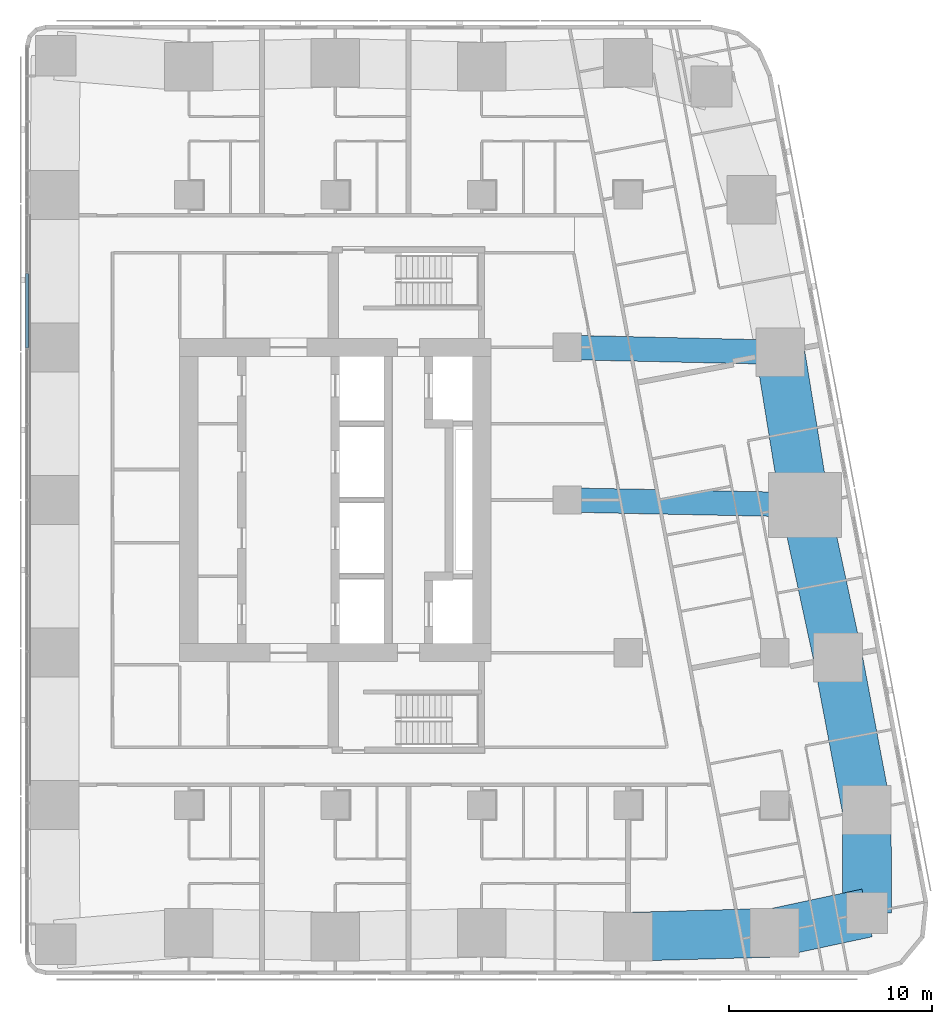
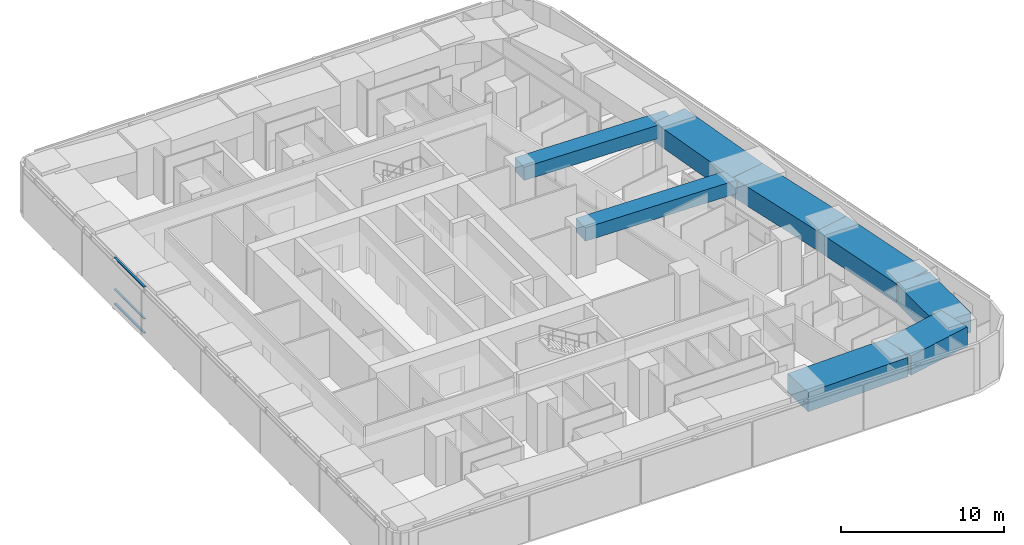
# One storey, part 4 of 17: 8 beams, 3 members, 1 element without a shape of its own.
"""IFC4 building model written with IfcOpenShell, lengths in metres."""

from ifc_helpers import new_model, si_unit, direction, frame, origin, origin_2d, place, context, subcontext, project, spatial, rectangle, extrude, material, material_profile, profile_set, type_object, element, aggregate, save


model = new_model("IFC4")

# Units and contexts
model_context = context("Model", 3, precision=1e-05, world=origin(), true_north=direction((0.0, 1.0)))
body_context = subcontext(model_context, "Body", "Model", "MODEL_VIEW")
ifc_project = project(units=[si_unit("LENGTHUNIT", "METRE"), si_unit("AREAUNIT", "SQUARE_METRE"), si_unit("VOLUMEUNIT", "CUBIC_METRE"), si_unit("PLANEANGLEUNIT", "RADIAN"), si_unit("MASSUNIT", "GRAM", prefix="KILO")], contexts=[model_context])

# Site, building, storey
site_placement = place(None, origin())
site = spatial("IfcSite", under=ifc_project, at=site_placement, CompositionType="ELEMENT")
building_placement = place(site_placement, origin())
building = spatial("IfcBuilding", under=site, at=building_placement, Name="Sheger Commons Tower", CompositionType="ELEMENT")
storey_placement = place(building_placement, frame((0.0, 0.0, 204.949951171875)))
storey = spatial("IfcBuildingStorey", under=building, at=storey_placement, Name="L52", CompositionType="ELEMENT", Elevation=204.949951171875)

# Beams
ifc_material_1 = material(Name="Concrete C50/60", Category="concrete")
ifc_material_profile_1 = material_profile(ifc_material_1, rectangle(XDim=1.199951171875, YDim=1.0, at=origin_2d()), Name="RC 1200x1000")
ifc_profile_set_1 = profile_set([ifc_material_profile_1], Name="Concrete C50/60")
beam_type_1 = type_object("IfcBeamType", Name="BEAM RC 1200x1000", PredefinedType="BEAM", material=ifc_profile_set_1)
beam_1_placement = place(storey_placement, frame((33.0, 22.5, 3.0), z_axis=(0.999794692776, -0.02026258368, 0.0), x_axis=(0.02026258368, 0.999794692776, 0.0)))
element("IfcBeam", 1, at=beam_1_placement, inside=storey, type_object=beam_type_1, Name="Beam 6-3000/D-7/D under L53", PredefinedType="BEAM", context=body_context, shape_type="SweptSolid", body=[
    extrude(rectangle(XDim=1.199951171875, YDim=1.0, at=origin_2d()), origin(), (0.0, 0.0, 1.0), 11.699462890625),
])
beam_2_placement = place(storey_placement, frame((33.0, 30.0, 3.0), z_axis=(0.999744258625, -0.022614538395, 0.0), x_axis=(0.022614538395, 0.999744258625, 0.0)))
element("IfcBeam", 2, at=beam_2_placement, inside=storey, type_object=beam_type_1, Name="Beam 6-3000/E-E/E under L53", PredefinedType="BEAM", context=body_context, shape_type="SweptSolid", body=[
    extrude(rectangle(XDim=1.199951171875, YDim=1.0, at=origin_2d()), origin(), (0.0, 0.0, 1.0), 10.482666015625),
])
ifc_material_2 = material(Name="Concrete C50/60", Category="concrete")
ifc_material_profile_2 = material_profile(ifc_material_2, rectangle(XDim=2.39990234375, YDim=1.449951171875, at=origin_2d()), Name="RC 2400x1450")
ifc_profile_set_2 = profile_set([ifc_material_profile_2], Name="Concrete C50/60")
beam_type_2 = type_object("IfcBeamType", Name="SPANDREL RC 2400x1450", PredefinedType="SPANDREL", material=ifc_profile_set_2)
beam_3_placement = place(storey_placement, frame((36.0, 1.02490234375, 2.775146484375), z_axis=(0.9996136624, 0.027794350926, 0.0), x_axis=(-0.027794350926, 0.9996136624, 0.0)))
element("IfcBeam", 3, at=beam_3_placement, inside=storey, type_object=beam_type_2, Name="Beam 6/A-7/A under L53", PredefinedType="SPANDREL", context=body_context, shape_type="SweptSolid", body=[
    extrude(rectangle(XDim=2.39990234375, YDim=1.449951171875, at=origin_2d()), origin(), (0.0, 0.0, 1.0), 7.20263671875),
])
beam_4_placement = place(storey_placement, frame((43.199951171875, 1.22509765625, 2.775146484375), z_axis=(0.977919796671, 0.208980552394, 0.0), x_axis=(-0.208980552394, 0.977919796671, 0.0)))
element("IfcBeam", 4, at=beam_4_placement, inside=storey, type_object=beam_type_2, Name="Beam 7/A-49.461,0.778 under L53", PredefinedType="SPANDREL", context=body_context, shape_type="SweptSolid", body=[
    extrude(rectangle(XDim=2.39990234375, YDim=1.449951171875, at=origin_2d()), origin(), (0.0, 0.0, 1.0), 4.65087890625),
])
beam_5_placement = place(storey_placement, frame((47.748046875, 2.197021484375, 2.775146484375), z_axis=(-0.003566242382, 0.999993640937, 0.0), x_axis=(-0.999993640937, -0.003566242382, 0.0)))
element("IfcBeam", 5, at=beam_5_placement, inside=storey, type_object=beam_type_2, Name="Beam 49.461,0.778-E/B under L53", PredefinedType="SPANDREL", context=body_context, shape_type="SweptSolid", body=[
    extrude(rectangle(XDim=2.39990234375, YDim=1.449951171875, at=origin_2d()), origin(), (0.0, 0.0, 1.0), 5.06591796875),
])
beam_6_placement = place(storey_placement, frame((47.72998046875, 7.262939453125, 2.775146484375), z_axis=(-0.18552441405, 0.982639655108, 0.0), x_axis=(-0.982639655108, -0.18552441405, 0.0)))
element("IfcBeam", 6, at=beam_6_placement, inside=storey, type_object=beam_type_2, Name="Beam E/B-E/C under L53", PredefinedType="SPANDREL", context=body_context, shape_type="SweptSolid", body=[
    extrude(rectangle(XDim=2.39990234375, YDim=1.449951171875, at=origin_2d()), origin(), (0.0, 0.0, 1.0), 7.632568359375),
])
beam_7_placement = place(storey_placement, frame((46.31396484375, 14.762939453125, 2.775146484375), z_axis=(-0.210750229323, 0.977539943348, 0.0), x_axis=(-0.977539943348, -0.210750229323, 0.0)))
element("IfcBeam", 7, at=beam_7_placement, inside=storey, type_object=beam_type_2, Name="Beam E/C-E/D under L53", PredefinedType="SPANDREL", context=body_context, shape_type="SweptSolid", body=[
    extrude(rectangle(XDim=2.39990234375, YDim=1.449951171875, at=origin_2d()), origin(), (0.0, 0.0, 1.0), 7.67236328125),
])
beam_8_placement = place(storey_placement, frame((44.697021484375, 22.262939453125, 2.775146484375), z_axis=(-0.160176929512, 0.987088319884, 0.0), x_axis=(-0.987088319884, -0.160176929512, 0.0)))
element("IfcBeam", 8, at=beam_8_placement, inside=storey, type_object=beam_type_2, Name="Beam E/D-E/E under L53", PredefinedType="SPANDREL", context=body_context, shape_type="SweptSolid", body=[
    extrude(rectangle(XDim=2.39990234375, YDim=1.449951171875, at=origin_2d()), origin(), (0.0, 0.0, 1.0), 7.59814453125),
])

# Curtain wall, members
ifc_material_3 = material(Name="Black aluminium curtain wall, dark tinted glazing", Category="aluminium")
curtain_wall_type = type_object("IfcCurtainWallType", Name="CURTAIN WALL CW4 GALLERY", PredefinedType="USERDEFINED", material=ifc_material_3)
curtain_wall_placement = place(storey_placement, origin())
curtain_wall = element("IfcCurtainWall", 9, at=curtain_wall_placement, inside=storey, type_object=curtain_wall_type, Name="Curtain Wall Cw4 Gallery W1 L52", ObjectType="UNITISED CURTAIN WALL", PredefinedType="USERDEFINED")
ifc_material_4 = material(Name="Black anodised aluminium", Category="aluminium")
ifc_material_profile_3 = material_profile(ifc_material_4, rectangle(XDim=0.14990234375, YDim=0.06494140625, at=origin_2d()), Name="AL 65x150")
ifc_profile_set_3 = profile_set([ifc_material_profile_3], Name="Black anodised aluminium")
member_type = type_object("IfcMemberType", Name="TRANSOM AL 65x150", PredefinedType="USERDEFINED", material=ifc_profile_set_3)
member_1_placement = place(storey_placement, frame((6.449951171875, 33.635498046875, 0.032470703125), z_axis=(0.0, -1.0, 0.0), x_axis=(1.0, 0.0, 0.0)))
member_1 = element("IfcMember", 10, at=member_1_placement, type_object=member_type, Name="CW4 transom 7.1", ObjectType="TRANSOM", PredefinedType="USERDEFINED", context=body_context, shape_type="SweptSolid", body=[
    extrude(rectangle(XDim=0.14990234375, YDim=0.06494140625, at=origin_2d()), origin(), (0.0, 0.0, 1.0), 3.656982421875),
])
member_2_placement = place(storey_placement, frame((6.449951171875, 33.635498046875, 1.10009765625), z_axis=(0.0, -1.0, 0.0), x_axis=(1.0, 0.0, 0.0)))
member_2 = element("IfcMember", 11, at=member_2_placement, type_object=member_type, Name="CW4 transom 7.2", ObjectType="TRANSOM", PredefinedType="USERDEFINED", context=body_context, shape_type="SweptSolid", body=[
    extrude(rectangle(XDim=0.14990234375, YDim=0.06494140625, at=origin_2d()), origin(), (0.0, 0.0, 1.0), 3.656982421875),
])
member_3_placement = place(storey_placement, frame((6.449951171875, 33.635498046875, 3.467529296875), z_axis=(0.0, -1.0, 0.0), x_axis=(1.0, 0.0, 0.0)))
member_3 = element("IfcMember", 12, at=member_3_placement, type_object=member_type, Name="CW4 transom 7.3", ObjectType="TRANSOM", PredefinedType="USERDEFINED", context=body_context, shape_type="SweptSolid", body=[
    extrude(rectangle(XDim=0.14990234375, YDim=0.06494140625, at=origin_2d()), origin(), (0.0, 0.0, 1.0), 3.656982421875),
])
aggregate(curtain_wall, [member_1, member_2, member_3])

save(model, "model.ifc")
